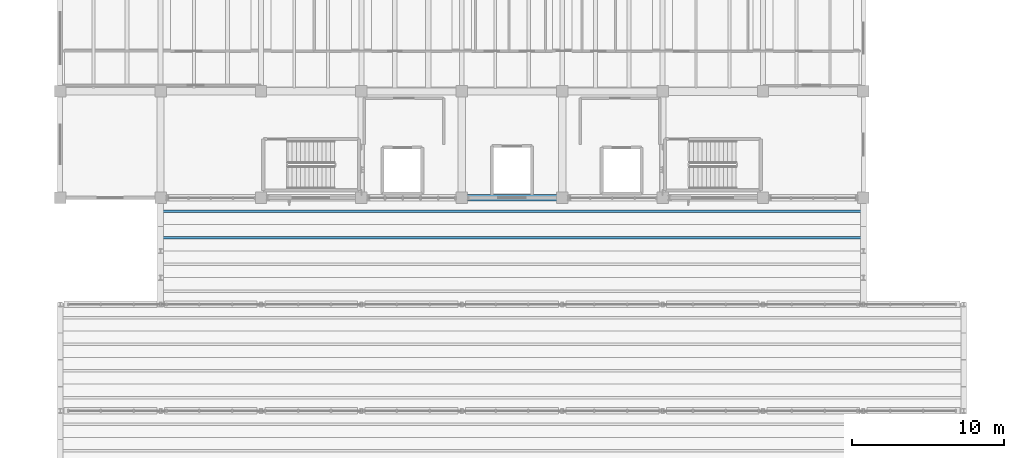
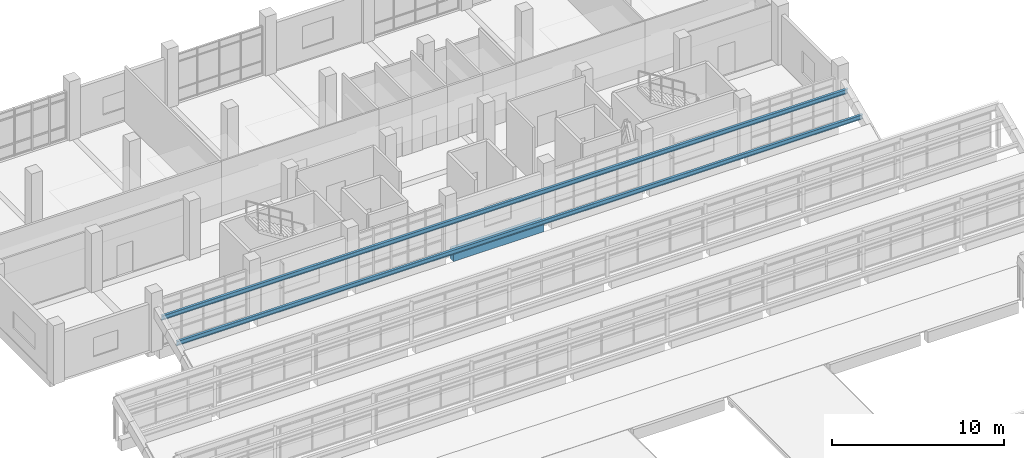
# One storey, part 55 of 92: 2 members, 1 beam.
"""IFC4 building model written with IfcOpenShell, lengths in metres."""

from ifc_helpers import new_model, si_unit, direction, frame, origin, origin_2d, place, context, subcontext, project, spatial, rectangle, i_section, extrude, material, material_profile, profile_set, type_object, element, save


model = new_model("IFC4")

# Units and contexts
model_context = context("Model", 3, precision=1e-05, world=origin(), true_north=direction((0.0, 1.0)))
body_context = subcontext(model_context, "Body", "Model", "MODEL_VIEW")
ifc_project = project(units=[si_unit("LENGTHUNIT", "METRE"), si_unit("AREAUNIT", "SQUARE_METRE"), si_unit("VOLUMEUNIT", "CUBIC_METRE"), si_unit("PLANEANGLEUNIT", "RADIAN"), si_unit("MASSUNIT", "GRAM", prefix="KILO")], contexts=[model_context])

# Site, building, storey
site_placement = place(None, origin())
site = spatial("IfcSite", under=ifc_project, at=site_placement, CompositionType="ELEMENT")
building_placement = place(site_placement, origin())
building = spatial("IfcBuilding", under=site, at=building_placement, Name="Ciguamira Faculty of Natural Sciences", CompositionType="ELEMENT")
storey_placement = place(building_placement, frame((0.0, 0.0, 16.800048828125)))
storey = spatial("IfcBuildingStorey", under=building, at=storey_placement, Name="L04", CompositionType="ELEMENT", Elevation=16.800048828125)

# Beam
ifc_material_1 = material(Name="Concrete C40/50", Category="concrete")
ifc_material_profile_1 = material_profile(ifc_material_1, rectangle(XDim=0.43994140625, YDim=0.780029296875, at=origin_2d()), Name="RC-BM-440X780")
ifc_profile_set_1 = profile_set([ifc_material_profile_1], Name="Concrete C40/50")
beam_type = type_object("IfcBeamType", Name="RCBeam_BG-06_RC-BM-440X780", PredefinedType="BEAM", material=ifc_profile_set_1)
beam_placement = place(storey_placement, frame((83.949951171875, 94.0, -0.39013671875), z_axis=(1.0, 0.0, 0.0), x_axis=(0.0, 1.0, 0.0)))
element("IfcBeam", 1, at=beam_placement, inside=storey, type_object=beam_type, Name="V4 north-light wave 7 RC valley beam NVL-1-4", PredefinedType="BEAM", context=body_context, shape_type="SweptSolid", body=[
    extrude(rectangle(XDim=0.43994140625, YDim=0.780029296875, at=origin_2d()), origin(), (0.0, 0.0, 1.0), 6.10009765625),
])

# Members
ifc_material_2 = material(Name="Steel ASTM A992 Grade 50", Category="steel")
ifc_material_profile_2 = material_profile(ifc_material_2, i_section(OverallWidth=0.164794921875, OverallDepth=0.309814453125, WebThickness=0.005859375, FlangeThickness=0.009765625, at=origin_2d()), Name="W12X26")
ifc_profile_set_2 = profile_set([ifc_material_profile_2], Name="Steel ASTM A992 Grade 50")
member_type = type_object("IfcMemberType", Name="SteelMember_PR-02_W12X26", PredefinedType="PURLIN", material=ifc_profile_set_2)
for number, where, z_axis, x_axis, name in (
    (2, (63.89990234375, 91.375, 1.8994140625), (1.0, 0.0, 0.0), (0.0, 1.0, 0.0), "V4 wave roof steel purlin 7-1-3"),
    (3, (63.89990234375, 93.125, 2.65625), (1.0, 0.0, 0.0), (0.0, 1.0, 0.0), "V4 wave roof steel purlin 7-1-4"),
):
    element("IfcMember", number, at=place(storey_placement, frame(where, z_axis=z_axis, x_axis=x_axis)), inside=storey, type_object=member_type, Name=name, PredefinedType="PURLIN", context=body_context, shape_type="SweptSolid", body=[
        extrude(i_section(OverallWidth=0.164794921875, OverallDepth=0.309814453125, WebThickness=0.005859375, FlangeThickness=0.009765625, at=origin_2d()), origin(), (0.0, 0.0, 1.0), 46.2001953125),
    ])

save(model, "model.ifc")
